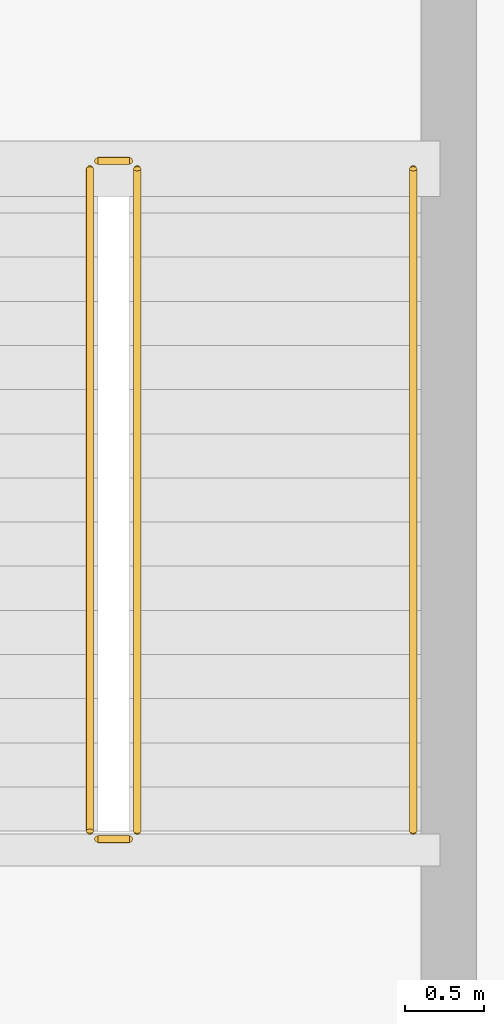
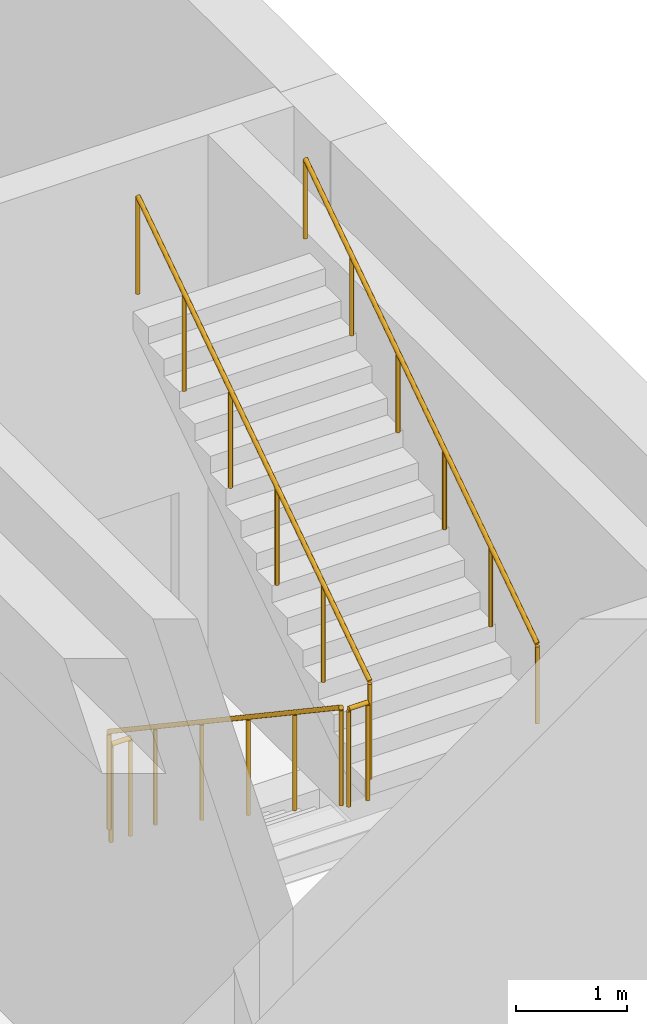
# One storey, part 8 of 8: 5 railings.
"""IFC4 building model written with IfcOpenShell, lengths in metres."""

from ifc_helpers import new_model, si_unit, direction, frame, origin, origin_2d, place, context, subcontext, project, spatial, circle, extrude, material, type_object, element, save


model = new_model("IFC4")

# Units and contexts
model_context = context("Model", 3, precision=1e-05, world=origin(), true_north=direction((0.0, 1.0)))
body_context = subcontext(model_context, "Body", "Model", "MODEL_VIEW")
ifc_project = project(units=[si_unit("LENGTHUNIT", "METRE"), si_unit("AREAUNIT", "SQUARE_METRE"), si_unit("VOLUMEUNIT", "CUBIC_METRE"), si_unit("PLANEANGLEUNIT", "RADIAN"), si_unit("MASSUNIT", "GRAM", prefix="KILO")], contexts=[model_context])

# Site, building, storey
site_placement = place(None, origin())
site = spatial("IfcSite", under=ifc_project, at=site_placement, CompositionType="ELEMENT")
building_placement = place(site_placement, origin())
building = spatial("IfcBuilding", under=site, at=building_placement, Name="Vaelkrest Opera House", CompositionType="ELEMENT")
storey_placement = place(building_placement, frame((0.0, 0.0, 30.0)))
storey = spatial("IfcBuildingStorey", under=building, at=storey_placement, Name="L06", CompositionType="ELEMENT", Elevation=30.0)

# Railings
ifc_material = material(Name="Dark bronze anodized aluminium", Category="aluminium")
railing_type_1 = type_object("IfcRailingType", Name="GR02", PredefinedType="GUARDRAIL", material=ifc_material)
railing_1_placement = place(storey_placement, frame((26.699951171875, 31.949951171875, 0.1875)))
element("IfcRailing", 1, at=railing_1_placement, inside=storey, type_object=railing_type_1, Name="L06 ST06 stair guard 1", PredefinedType="GUARDRAIL", context=body_context, shape_type="SweptSolid", body=[
    extrude(circle(Radius=0.02392578125, at=origin_2d()), frame((0.0, 0.0, 1.076171875), z_axis=(0.0, -0.830904186295, 0.556415522067), x_axis=(1.0, 0.0, 0.0)), (0.0, 0.0, 1.0), 5.0546875),
    extrude(circle(Radius=0.02099609375, at=origin_2d()), origin(), (0.0, 0.0, 1.0), 1.052001953125),
    extrude(circle(Radius=0.02099609375, at=origin_2d()), frame((0.0, -0.840087890625, 0.5625)), (0.0, 0.0, 1.0), 1.052001953125),
    extrude(circle(Radius=0.02099609375, at=origin_2d()), frame((0.0, -1.679931640625, 1.125)), (0.0, 0.0, 1.0), 1.052001953125),
    extrude(circle(Radius=0.02099609375, at=origin_2d()), frame((0.0, -2.52001953125, 1.6875)), (0.0, 0.0, 1.0), 1.052001953125),
    extrude(circle(Radius=0.02099609375, at=origin_2d()), frame((0.0, -3.35986328125, 2.25)), (0.0, 0.0, 1.0), 1.052001953125),
    extrude(circle(Radius=0.02099609375, at=origin_2d()), frame((0.0, -4.199951171875, 2.8125)), (0.0, 0.0, 1.0), 1.052001953125),
])
railing_2_placement = place(storey_placement, frame((26.75, 27.699951171875, 3.0)))
element("IfcRailing", 2, at=railing_2_placement, inside=storey, type_object=railing_type_1, Name="L06 ST06 stair guard 2", PredefinedType="GUARDRAIL", context=body_context, shape_type="SweptSolid", body=[
    extrude(circle(Radius=0.02392578125, at=origin_2d()), frame((0.0, 0.0, 1.076171875), z_axis=(1.0, 0.0, 0.0), x_axis=(0.0, 1.0, 0.0)), (0.0, 0.0, 1.0), 0.199951171875),
    extrude(circle(Radius=0.02099609375, at=origin_2d()), origin(), (0.0, 0.0, 1.0), 1.052001953125),
    extrude(circle(Radius=0.02099609375, at=origin_2d()), frame((0.199951171875, 0.0, 0.0)), (0.0, 0.0, 1.0), 1.052001953125),
])
railing_3_placement = place(storey_placement, frame((27.0, 27.75, 3.1875)))
element("IfcRailing", 3, at=railing_3_placement, inside=storey, type_object=railing_type_1, Name="L06 ST06 stair guard 3", PredefinedType="GUARDRAIL", context=body_context, shape_type="SweptSolid", body=[
    extrude(circle(Radius=0.02392578125, at=origin_2d()), frame((0.0, 0.0, 1.076171875), z_axis=(0.0, 0.830904186295, 0.556415522067), x_axis=(-1.0, 0.0, 0.0)), (0.0, 0.0, 1.0), 5.0546875),
    extrude(circle(Radius=0.02099609375, at=origin_2d()), origin(), (0.0, 0.0, 1.0), 1.052001953125),
    extrude(circle(Radius=0.02099609375, at=origin_2d()), frame((0.0, 0.840087890625, 0.5625)), (0.0, 0.0, 1.0), 1.052001953125),
    extrude(circle(Radius=0.02099609375, at=origin_2d()), frame((0.0, 1.679931640625, 1.125)), (0.0, 0.0, 1.0), 1.052001953125),
    extrude(circle(Radius=0.02099609375, at=origin_2d()), frame((0.0, 2.52001953125, 1.6875)), (0.0, 0.0, 1.0), 1.052001953125),
    extrude(circle(Radius=0.02099609375, at=origin_2d()), frame((0.0, 3.35986328125, 2.25)), (0.0, 0.0, 1.0), 1.052001953125),
    extrude(circle(Radius=0.02099609375, at=origin_2d()), frame((0.0, 4.199951171875, 2.8125)), (0.0, 0.0, 1.0), 1.052001953125),
])
railing_4_placement = place(storey_placement, frame((26.75, 32.0, 0.0)))
element("IfcRailing", 4, at=railing_4_placement, inside=storey, type_object=railing_type_1, Name="L06 ST06 stair guard 4", PredefinedType="GUARDRAIL", context=body_context, shape_type="SweptSolid", body=[
    extrude(circle(Radius=0.02392578125, at=origin_2d()), frame((0.0, 0.0, 1.076171875), z_axis=(1.0, 0.0, 0.0), x_axis=(0.0, 1.0, 0.0)), (0.0, 0.0, 1.0), 0.199951171875),
    extrude(circle(Radius=0.02099609375, at=origin_2d()), origin(), (0.0, 0.0, 1.0), 1.052001953125),
    extrude(circle(Radius=0.02099609375, at=origin_2d()), frame((0.199951171875, 0.0, 0.0)), (0.0, 0.0, 1.0), 1.052001953125),
])
railing_type_2 = type_object("IfcRailingType", Name="HR02", PredefinedType="HANDRAIL", material=ifc_material)
railing_5_placement = place(storey_placement, frame((28.75, 27.75, 3.1875)))
element("IfcRailing", 5, at=railing_5_placement, inside=storey, type_object=railing_type_2, Name="L06 ST06 stair handrail 2", PredefinedType="HANDRAIL", context=body_context, shape_type="SweptSolid", body=[
    extrude(circle(Radius=0.02392578125, at=origin_2d()), frame((0.0, 0.0, 0.8759765625), z_axis=(0.0, 0.830904186295, 0.556415522067), x_axis=(-1.0, 0.0, 0.0)), (0.0, 0.0, 1.0), 5.0546875),
    extrude(circle(Radius=0.02099609375, at=origin_2d()), origin(), (0.0, 0.0, 1.0), 0.851806640625),
    extrude(circle(Radius=0.02099609375, at=origin_2d()), frame((0.0, 0.840087890625, 0.5625)), (0.0, 0.0, 1.0), 0.851806640625),
    extrude(circle(Radius=0.02099609375, at=origin_2d()), frame((0.0, 1.679931640625, 1.125)), (0.0, 0.0, 1.0), 0.851806640625),
    extrude(circle(Radius=0.02099609375, at=origin_2d()), frame((0.0, 2.52001953125, 1.6875)), (0.0, 0.0, 1.0), 0.851806640625),
    extrude(circle(Radius=0.02099609375, at=origin_2d()), frame((0.0, 3.35986328125, 2.25)), (0.0, 0.0, 1.0), 0.851806640625),
    extrude(circle(Radius=0.02099609375, at=origin_2d()), frame((0.0, 4.199951171875, 2.8125)), (0.0, 0.0, 1.0), 0.851806640625),
])

save(model, "model.ifc")
